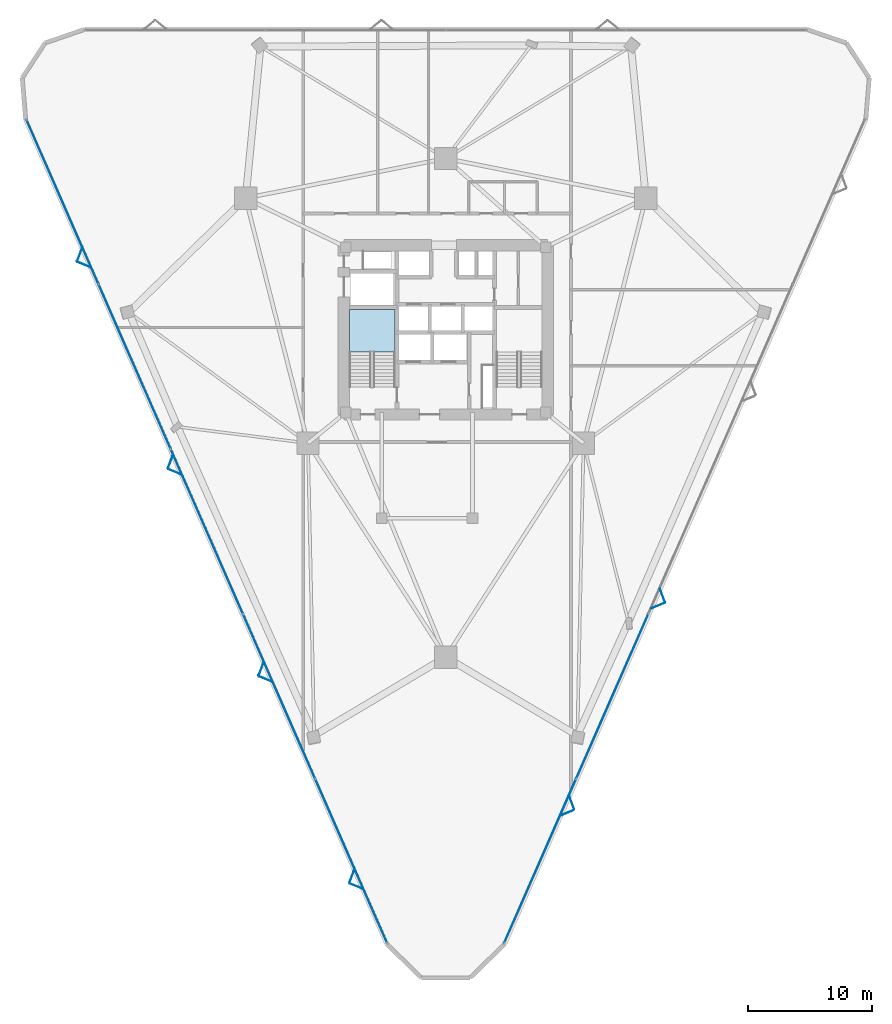
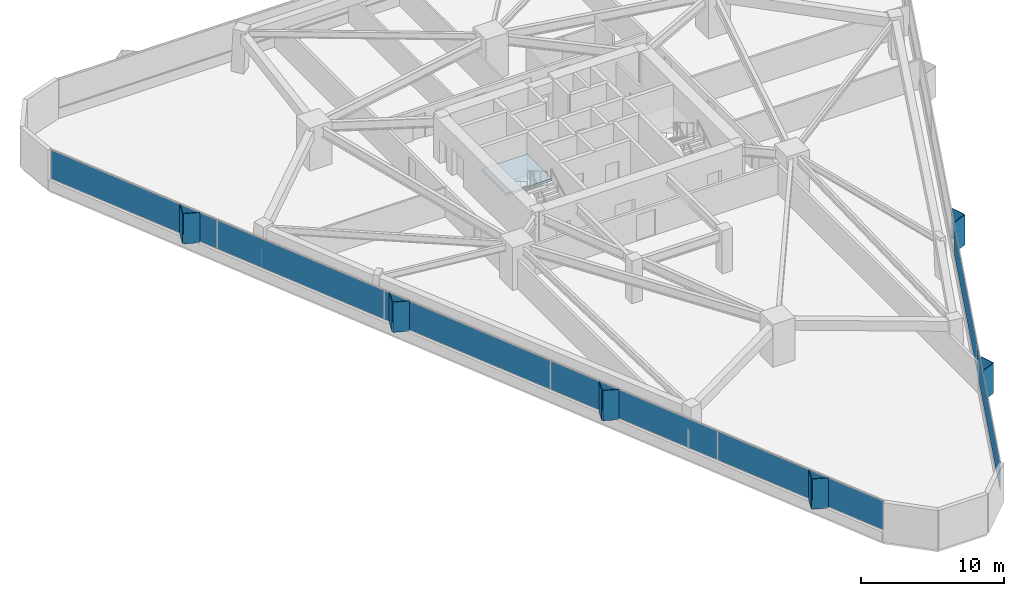
# One storey, part 14 of 20: 19 plates, 1 slab, 3 elements without a shape of their own.
"""IFC4 building model written with IfcOpenShell, lengths in metres."""

import ifcopenshell
import ifcopenshell.guid

model = None  # the IFC model being written
_history = None  # IfcOwnerHistory: only IFC2X3 demands one
_inside = {}  # id of a spatial element -> (the spatial element, [elements in it])
_under = {}  # id of a project, library or spatial element -> (it, [spatial elements below it])
_declared = {}  # id of a project -> (the project, [libraries it declares])
_typed = {}  # id of a type object -> (the type object, [elements of that type])
_made_of = {}  # id of a material, layer set ... -> (it, [elements and type objects made of it])


def new_model(schema):
    """Start an empty IFC model of exactly this schema.

    Asked for "IFC4X3", IfcOpenShell would pick the latest addendum, in which some entities
    have other attributes; the version numbers below select the first issue.
    IFC2X3 requires an IfcOwnerHistory on every rooted entity: one is made here for all.
    """
    global model, _history
    if schema == "IFC4X3":
        model = ifcopenshell.file(schema_version=(4, 3, 0, 0))
    else:
        model = ifcopenshell.file(schema=schema)
    _inside.clear()
    _under.clear()
    _declared.clear()
    _typed.clear()
    _made_of.clear()
    _history = None
    if model.schema == "IFC2X3":
        org = make("IfcOrganization", Name="unknown")
        user = make(
            "IfcPersonAndOrganization",
            ThePerson=make("IfcPerson", FamilyName="unknown"),
            TheOrganization=org,
        )
        app = make(
            "IfcApplication",
            ApplicationDeveloper=org,
            Version="unknown",
            ApplicationFullName="unknown",
            ApplicationIdentifier="unknown",
        )
        _history = make(
            "IfcOwnerHistory",
            OwningUser=user,
            OwningApplication=app,
            ChangeAction="ADDED",
            CreationDate=0,
        )
    return model


def make(cls, **values):
    """One entity of the class cls with the attributes given. An attribute that is None is left unset."""
    return model.create_entity(
        cls, **{name: value for name, value in values.items() if value is not None}
    )


def rooted(cls, **values):
    """An entity with a GlobalId (a new one), such as an element, a storey or a relation."""
    return make(cls, GlobalId=ifcopenshell.guid.new(), OwnerHistory=_history, **values)


def si_unit(unit_type, name, prefix=None):
    """IfcSIUnit, for example si_unit("LENGTHUNIT", "METRE", prefix="MILLI")."""
    return make("IfcSIUnit", UnitType=unit_type, Prefix=prefix, Name=name)


def assignment(units):
    """IfcUnitAssignment: the units of a project."""
    return None if units is None else make("IfcUnitAssignment", Units=units)


def point(xyz):
    """IfcCartesianPoint."""
    return None if xyz is None else make("IfcCartesianPoint", Coordinates=xyz)


def direction(xyz):
    """IfcDirection."""
    return None if xyz is None else make("IfcDirection", DirectionRatios=xyz)


def frame(location, z_axis=None, x_axis=None):
    """IfcAxis2Placement3D, a coordinate frame: its origin and axes. An axis left out is left unset."""
    return make(
        "IfcAxis2Placement3D",
        Location=point(location),
        Axis=direction(z_axis),
        RefDirection=direction(x_axis),
    )


def frame_2d(location, x_axis=None):
    """IfcAxis2Placement2D, a coordinate frame in the plane: its origin and x axis."""
    return make(
        "IfcAxis2Placement2D", Location=point(location), RefDirection=direction(x_axis)
    )


def origin():
    """The frame at (0, 0, 0) with its axes left unset."""
    return frame((0.0, 0.0, 0.0))


def origin_2d():
    """The frame at (0, 0) in the plane with its x axis left unset."""
    return frame_2d((0.0, 0.0))


def place(relative_to, where):
    """IfcLocalPlacement: puts the frame where relative to a parent placement (None: the world)."""
    return make(
        "IfcLocalPlacement", PlacementRelTo=relative_to, RelativePlacement=where
    )


def context(
    kind, dimensions, precision=None, world=None, true_north=None, identifier=None
):
    """IfcGeometricRepresentationContext, for example the 3D "Model" context."""
    return make(
        "IfcGeometricRepresentationContext",
        ContextIdentifier=identifier,
        ContextType=kind,
        CoordinateSpaceDimension=dimensions,
        Precision=precision,
        WorldCoordinateSystem=world,
        TrueNorth=true_north,
    )


def subcontext(parent, identifier, kind, view, scale=None):
    """IfcGeometricRepresentationSubContext, for example "Body" below "Model"."""
    return make(
        "IfcGeometricRepresentationSubContext",
        ContextIdentifier=identifier,
        ContextType=kind,
        ParentContext=parent,
        TargetScale=scale,
        TargetView=view,
    )


def project(units=None, contexts=None):
    """IfcProject with its units and contexts."""
    return rooted(
        "IfcProject",
        Name="project",
        RepresentationContexts=contexts,
        UnitsInContext=assignment(units),
    )


def spatial(cls, under=None, at=None, **own):
    """A site, building, storey or space (cls), placed at a placement, below another one or the project."""
    s = rooted(cls, ObjectPlacement=at, **own)
    if under is not None:
        _under.setdefault(under.id(), (under, []))[1].append(s)
    return s


def polyline(points):
    """IfcPolyline through the points."""
    return make("IfcPolyline", Points=[point(p) for p in points])


def profile(cls, at=None, kind="AREA", **sizes):
    """A parametric profile (cls). Its sizes go by their IFC names, for example OverallWidth=200.0."""
    return make(cls, ProfileType=kind, Position=at, **sizes)


def rectangle(**sizes):
    """IfcRectangleProfileDef."""
    return profile("IfcRectangleProfileDef", **sizes)


def outline(outer, holes=None, kind="AREA"):
    """IfcArbitraryClosedProfileDef: a profile drawn as a closed curve; with holes, ...WithVoids."""
    if holes is None:
        return make("IfcArbitraryClosedProfileDef", ProfileType=kind, OuterCurve=outer)
    return make(
        "IfcArbitraryProfileDefWithVoids",
        ProfileType=kind,
        OuterCurve=outer,
        InnerCurves=holes,
    )


def extrude(swept, where, along, depth):
    """IfcExtrudedAreaSolid: the profile swept, set in the frame where, extruded along a direction by depth."""
    return make(
        "IfcExtrudedAreaSolid",
        SweptArea=swept,
        Position=where,
        ExtrudedDirection=direction(along),
        Depth=depth,
    )


def shape(context_of_items, identifier, shape_type, items):
    """IfcShapeRepresentation: the items that make up one representation, for example the "Body"."""
    return make(
        "IfcShapeRepresentation",
        ContextOfItems=context_of_items,
        RepresentationIdentifier=identifier,
        RepresentationType=shape_type,
        Items=items,
    )


def material(Name=None, Category=None):
    """IfcMaterial."""
    return make("IfcMaterial", Name=Name, Category=Category)


def layer(
    of_material, thickness, ventilated=None, Name=None, Category=None, Priority=None
):
    """IfcMaterialLayer: one layer of a wall or slab, of a material (None: an air gap)."""
    return make(
        "IfcMaterialLayer",
        Material=of_material,
        LayerThickness=thickness,
        IsVentilated=ventilated,
        Name=Name,
        Category=Category,
        Priority=Priority,
    )


def layer_set(layers, Name=None):
    """IfcMaterialLayerSet."""
    return make("IfcMaterialLayerSet", MaterialLayers=layers, LayerSetName=Name)


def made_of(thing, what):
    """Note that an element or type object is made of a material, layer set ...; save() writes the relation."""
    if what is not None:
        _made_of.setdefault(what.id(), (what, []))[1].append(thing)
    return thing


def type_object(cls, material=None, **own):
    """A type object (cls), such as IfcWallType, which elements share."""
    return made_of(rooted(cls, **own), material)


def element(
    cls,
    number,
    at=None,
    inside=None,
    cuts=None,
    type_object=None,
    material=None,
    context=None,
    identifier="Body",
    shape_type=None,
    held_by="IfcProductDefinitionShape",
    body=None,
    shapes=None,
    **own,
):
    """One element of the class cls, such as IfcWall. Its Tag is "e" and its number.

    at: its placement. inside: the storey or other place that contains it. cuts: it is an
    opening in that element (IfcRelVoidsElement). A single representation is given by context,
    identifier, shape_type and body (its items); several are given by shapes. held_by: the class
    of the entity that holds the representations. save() writes the other relations.
    """
    e = rooted(cls, Tag="e%d" % number, ObjectPlacement=at, **own)
    if body is not None:
        shapes = [shape(context, identifier, shape_type, body)]
    if shapes is not None:
        e.Representation = make(held_by, Representations=shapes)
    if inside is not None:
        _inside.setdefault(inside.id(), (inside, []))[1].append(e)
    if cuts is not None:
        rooted(
            "IfcRelVoidsElement", RelatingBuildingElement=cuts, RelatedOpeningElement=e
        )
    if type_object is not None:
        _typed.setdefault(type_object.id(), (type_object, []))[1].append(e)
    return made_of(e, material)


def aggregate(whole, parts):
    """IfcRelAggregates: a whole, such as a stair, and the parts it consists of."""
    return rooted("IfcRelAggregates", RelatingObject=whole, RelatedObjects=parts)


def save(model, path):
    """Write the relations noted so far, then the file.

    IfcRelAggregates (storeys below a building ...), IfcRelContainedInSpatialStructure (elements
    in a storey), IfcRelDefinesByType, IfcRelAssociatesMaterial and IfcRelDeclares: one each for
    every whole, place, type object, material and project.
    """
    for whole, parts in _under.values():
        aggregate(whole, parts)
    for where, things in _inside.values():
        rooted(
            "IfcRelContainedInSpatialStructure",
            RelatedElements=things,
            RelatingStructure=where,
        )
    for kind, things in _typed.values():
        rooted("IfcRelDefinesByType", RelatedObjects=things, RelatingType=kind)
    for what, things in _made_of.values():
        rooted("IfcRelAssociatesMaterial", RelatedObjects=things, RelatingMaterial=what)
    for by, libraries in _declared.values():
        rooted("IfcRelDeclares", RelatingContext=by, RelatedDefinitions=libraries)
    model.write(path)


model = new_model("IFC4")

# Units and contexts
model_context = context("Model", 3, precision=1e-05, world=origin(), true_north=direction((0.0, 1.0)))
body_context = subcontext(model_context, "Body", "Model", "MODEL_VIEW")
ifc_project = project(units=[si_unit("LENGTHUNIT", "METRE"), si_unit("AREAUNIT", "SQUARE_METRE"), si_unit("VOLUMEUNIT", "CUBIC_METRE"), si_unit("PLANEANGLEUNIT", "RADIAN"), si_unit("MASSUNIT", "GRAM", prefix="KILO")], contexts=[model_context])

# Site, building, storey
site_placement = place(None, origin())
site = spatial("IfcSite", under=ifc_project, at=site_placement, CompositionType="ELEMENT")
building_placement = place(site_placement, origin())
building = spatial("IfcBuilding", under=site, at=building_placement, Name="Talyreon Biosciences Tower", CompositionType="ELEMENT")
storey_placement = place(building_placement, frame((0.0, 0.0, 41.050048828125)))
storey = spatial("IfcBuildingStorey", under=building, at=storey_placement, Name="L10", CompositionType="ELEMENT", Elevation=41.050048828125)

# Curtain wall, plates
ifc_material_1 = material(Name="Thermally broken aluminium and low-E glazing", Category="aluminium")
ifc_layer_1 = layer(ifc_material_1, 0.195068359375)
ifc_layer_set_1 = layer_set([ifc_layer_1], Name="Thermally broken aluminium and low-E glazing")
curtain_wall_type = type_object("IfcCurtainWallType", Name="CurtainWall_Zone1WetLab", PredefinedType="NOTDEFINED", material=ifc_layer_set_1)
curtain_wall_1_placement = place(storey_placement, origin())
curtain_wall_1 = element("IfcCurtainWall", 1, at=curtain_wall_1_placement, inside=storey, type_object=curtain_wall_type, Name="L10 Unitised Curtain Wall FCW-L10-00", PredefinedType="NOTDEFINED")
ifc_material_2 = material(Name="Triple-silver low-E insulated glazing", Category="glass")
ifc_layer_2 = layer(ifc_material_2, 0.031982421875)
ifc_layer_set_2 = layer_set([ifc_layer_2], Name="Triple-silver low-E insulated glazing")
plate_type_1 = type_object("IfcPlateType", Name="CWGlazingPanel_32", PredefinedType="CURTAIN_PANEL", material=ifc_layer_set_2)
plate_1_placement = place(storey_placement, frame((58.399169921875, 25.267822265625, 0.875), z_axis=(0.0, 0.0, 1.0), x_axis=(-0.401222995321, 0.915980408101, 0.0)))
plate_1 = element("IfcPlate", 2, at=plate_1_placement, type_object=plate_type_1, Name="CW2 panel 1.1", PredefinedType="CURTAIN_PANEL", context=body_context, shape_type="SweptSolid", body=[
    extrude(rectangle(XDim=14.38134765625, YDim=0.031982421875, at=origin_2d()), origin(), (0.0, 0.0, 1.0), 2.43505859375),
])
plate_2_placement = place(storey_placement, frame((52.596435546875, 38.51513671875, 0.875), z_axis=(0.0, 0.0, 1.0), x_axis=(-0.401222995321, 0.915980408101, 0.0)))
plate_2 = element("IfcPlate", 3, at=plate_2_placement, type_object=plate_type_1, Name="CW2 panel 2.1", PredefinedType="CURTAIN_PANEL", context=body_context, shape_type="SweptSolid", body=[
    extrude(rectangle(XDim=14.413818359375, YDim=0.031982421875, at=origin_2d()), origin(), (0.0, 0.0, 1.0), 2.43505859375),
])
plate_3_placement = place(storey_placement, frame((46.787109375, 51.777587890625, 0.875), z_axis=(0.0, 0.0, 1.0), x_axis=(-0.401222995321, 0.915980408101, 0.0)))
plate_3 = element("IfcPlate", 4, at=plate_3_placement, type_object=plate_type_1, Name="CW2 panel 3.1", PredefinedType="CURTAIN_PANEL", context=body_context, shape_type="SweptSolid", body=[
    extrude(rectangle(XDim=14.413818359375, YDim=0.031982421875, at=origin_2d()), origin(), (0.0, 0.0, 1.0), 2.43505859375),
])
plate_4_placement = place(storey_placement, frame((40.97802734375, 65.039794921875, 0.875), z_axis=(0.0, 0.0, 1.0), x_axis=(-0.401222995321, 0.915980408101, 0.0)))
plate_4 = element("IfcPlate", 5, at=plate_4_placement, type_object=plate_type_1, Name="CW2 panel 4.1", PredefinedType="CURTAIN_PANEL", context=body_context, shape_type="SweptSolid", body=[
    extrude(rectangle(XDim=14.413818359375, YDim=0.031982421875, at=origin_2d()), origin(), (0.0, 0.0, 1.0), 2.43505859375),
])
plate_5_placement = place(storey_placement, frame((35.17529296875, 78.287109375, 0.875), z_axis=(0.0, 0.0, 1.0), x_axis=(-0.401222995321, 0.915980408101, 0.0)))
plate_5 = element("IfcPlate", 6, at=plate_5_placement, type_object=plate_type_1, Name="CW2 panel 5.1", PredefinedType="CURTAIN_PANEL", context=body_context, shape_type="SweptSolid", body=[
    extrude(rectangle(XDim=14.38134765625, YDim=0.031982421875, at=origin_2d()), origin(), (0.0, 0.0, 1.0), 2.43505859375),
])
aggregate(curtain_wall_1, [plate_1, plate_2, plate_3, plate_4, plate_5])

curtain_wall_2_placement = place(storey_placement, origin())
curtain_wall_2 = element("IfcCurtainWall", 7, at=curtain_wall_2_placement, inside=storey, type_object=curtain_wall_type, Name="L10 Unitised Curtain Wall FCW-L10-08", PredefinedType="NOTDEFINED")
plate_6_placement = place(storey_placement, frame((79.403564453125, 38.51513671875, 0.875), z_axis=(0.0, 0.0, 1.0), x_axis=(-0.401222995321, -0.915980408101, 0.0)))
plate_6 = element("IfcPlate", 8, at=plate_6_placement, type_object=plate_type_1, Name="CW2 panel 4.1", PredefinedType="CURTAIN_PANEL", context=body_context, shape_type="SweptSolid", body=[
    extrude(rectangle(XDim=14.413818359375, YDim=0.031982421875, at=origin_2d()), origin(), (0.0, 0.0, 1.0), 2.43505859375),
])
plate_7_placement = place(storey_placement, frame((73.600830078125, 25.267822265625, 0.875), z_axis=(0.0, 0.0, 1.0), x_axis=(-0.401222995321, -0.915980408101, 0.0)))
plate_7 = element("IfcPlate", 9, at=plate_7_placement, type_object=plate_type_1, Name="CW2 panel 5.1", PredefinedType="CURTAIN_PANEL", context=body_context, shape_type="SweptSolid", body=[
    extrude(rectangle(XDim=14.38134765625, YDim=0.031982421875, at=origin_2d()), origin(), (0.0, 0.0, 1.0), 2.43505859375),
])
aggregate(curtain_wall_2, [plate_6, plate_7])

# Plates
ifc_material_3 = material(Name="Ivory GFRC sunshade panel", Category="concrete")
ifc_layer_3 = layer(ifc_material_3, 0.044921875)
ifc_layer_set_3 = layer_set([ifc_layer_3], Name="Ivory GFRC sunshade panel")
plate_type_2 = type_object("IfcPlateType", Name="FoldedVSunshade_SunFace_SUNSHADE", PredefinedType="USERDEFINED", material=ifc_layer_set_3)
for number, where, z_axis, x_axis, name in (
    (10, (58.812744140625, 23.226806640625, 0.7900390625), (0.0, 0.0, 1.0), (-0.924911408888, 0.380182700434, 0.0), "L10 Folded V-Sunshade Panel 00.01L"),
    (11, (58.45166015625, 24.051025390625, 0.7900390625), (0.0, 0.0, 1.0), (0.347672160741, 0.937616162748, 0.0), "L10 Folded V-Sunshade Panel 00.01R"),
    (12, (51.510498046875, 39.8974609375, 0.7900390625), (0.0, 0.0, 1.0), (-0.924911408888, 0.380182700434, 0.0), "L10 Folded V-Sunshade Panel 00.02L"),
    (13, (51.1494140625, 40.721923828125, 0.7900390625), (0.0, 0.0, 1.0), (0.347672160741, 0.937616162748, 0.0), "L10 Folded V-Sunshade Panel 00.02R"),
    (14, (44.208251953125, 56.568359375, 0.7900390625), (0.0, 0.0, 1.0), (-0.924911408888, 0.380182700434, 0.0), "L10 Folded V-Sunshade Panel 00.03L"),
    (15, (43.84716796875, 57.392578125, 0.7900390625), (0.0, 0.0, 1.0), (0.347672160741, 0.937616162748, 0.0), "L10 Folded V-Sunshade Panel 00.03R"),
    (16, (36.906005859375, 73.2392578125, 0.7900390625), (0.0, 0.0, 1.0), (-0.924911408888, 0.380182700434, 0.0), "L10 Folded V-Sunshade Panel 00.04L"),
    (17, (36.544921875, 74.063720703125, 0.7900390625), (0.0, 0.0, 1.0), (0.347672160741, 0.937616162748, 0.0), "L10 Folded V-Sunshade Panel 00.04R"),
    (18, (83.440185546875, 46.633544921875, 0.7900390625), (0.0, 0.0, 1.0), (0.347672160741, -0.937616162748, 0.0), "L10 Folded V-Sunshade Panel 08.03L"),
    (19, (83.0791015625, 45.80908203125, 0.7900390625), (0.0, 0.0, 1.0), (-0.924911408888, -0.380182700434, 0.0), "L10 Folded V-Sunshade Panel 08.03R"),
    (20, (76.1376953125, 29.962646484375, 0.7900390625), (0.0, 0.0, 1.0), (0.347672160741, -0.937616162748, 0.0), "L10 Folded V-Sunshade Panel 08.04L"),
    (21, (75.776611328125, 29.13818359375, 0.7900390625), (0.0, 0.0, 1.0), (-0.924911408888, -0.380182700434, 0.0), "L10 Folded V-Sunshade Panel 08.04R"),
):
    element("IfcPlate", number, at=place(storey_placement, frame(where, z_axis=z_axis, x_axis=x_axis)), inside=storey, type_object=plate_type_2, Name=name, ObjectType="SUNSHADE", PredefinedType="USERDEFINED", context=body_context, shape_type="SweptSolid", body=[
        extrude(rectangle(XDim=1.14990234375, YDim=0.044921875, at=origin_2d()), origin(), (0.0, 0.0, 1.0), 2.5849609375),
    ])

# Stair, slab
ifc_material_4 = material(Name="Concrete C40/50", Category="concrete")
stair_type = type_object("IfcStairType", Name="DoglegEscapeStair_3650", PredefinedType="HALF_TURN_STAIR", material=ifc_material_4)
stair_placement = place(storey_placement, origin())
stair = element("IfcStair", 22, at=stair_placement, inside=storey, type_object=stair_type, Name="L10 Core Escape Stair 1", PredefinedType="HALF_TURN_STAIR")
ifc_layer_4 = layer(ifc_material_4, 0.199951171875)
ifc_layer_set_4 = layer_set([ifc_layer_4], Name="Concrete C40/50")
slab_type = type_object("IfcSlabType", Name="StairLandingSlab_200", PredefinedType="LANDING", material=ifc_layer_set_4)
slab_placement = place(storey_placement, frame((0.0, 0.0, 1.625)))
slab = element("IfcSlab", 23, at=slab_placement, type_object=slab_type, Name="ST-1 landing 1", PredefinedType="LANDING", context=body_context, shape_type="SweptSolid", body=[
    extrude(outline(polyline([(61.929931640625, 66.199951171875), (61.929931640625, 69.64990234375), (58.25, 69.64990234375), (58.25, 66.199951171875), (61.929931640625, 66.199951171875)])), origin(), (0.0, 0.0, 1.0), 0.199951171875),
])
aggregate(stair, [slab])

save(model, "model.ifc")
